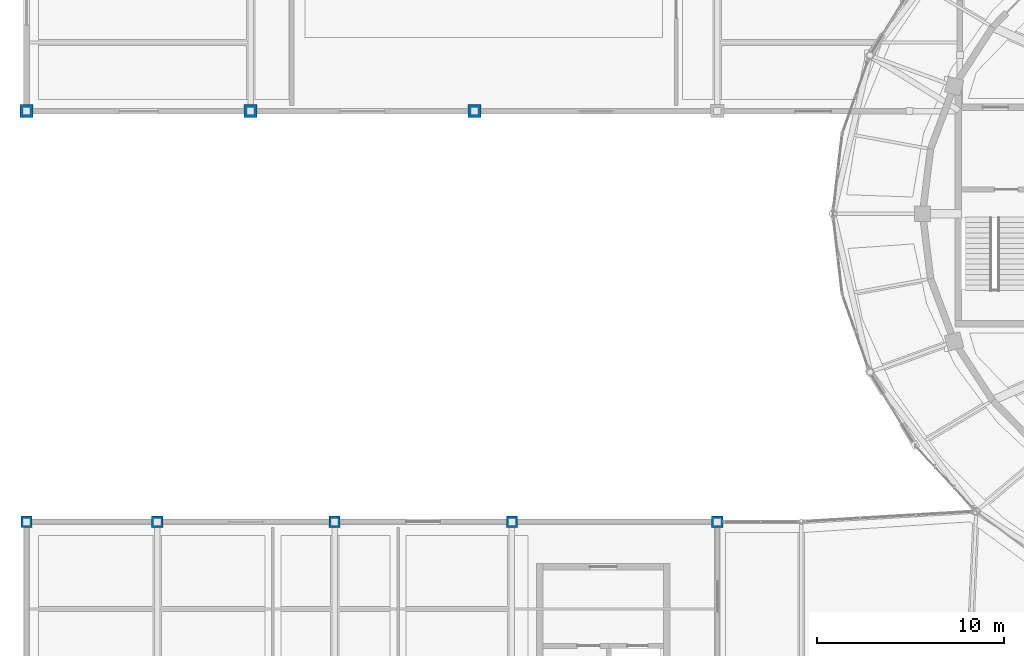
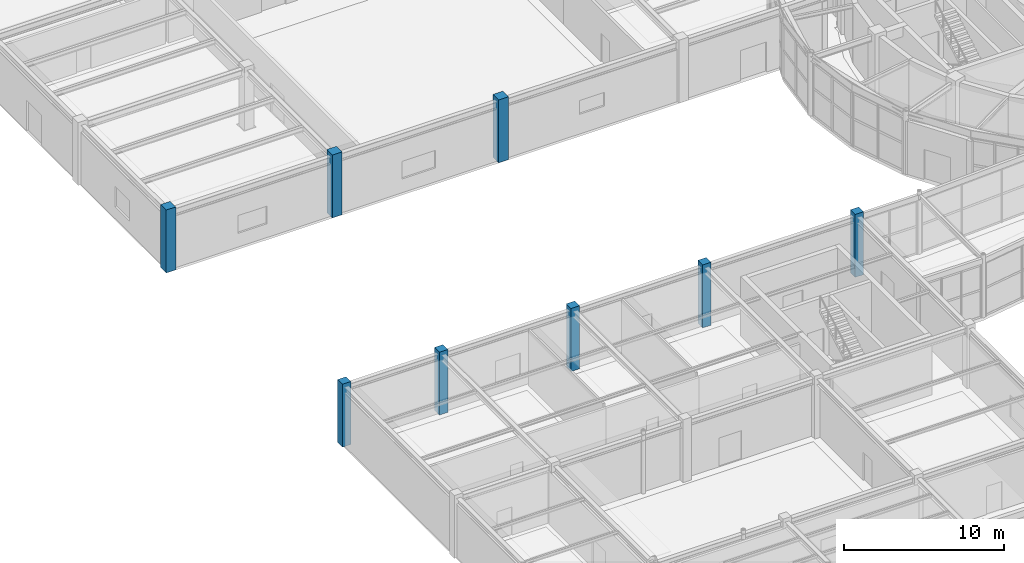
# One storey, part 4 of 108: 8 columns.
"""IFC4 building model written with IfcOpenShell, lengths in metres."""

from ifc_helpers import new_model, si_unit, direction, frame, origin, origin_2d, place, context, subcontext, project, spatial, rectangle, extrude, material, material_profile, profile_set, type_object, element, save


model = new_model("IFC4")

# Units and contexts
model_context = context("Model", 3, precision=1e-05, world=origin(), true_north=direction((0.0, 1.0)))
body_context = subcontext(model_context, "Body", "Model", "MODEL_VIEW")
ifc_project = project(units=[si_unit("LENGTHUNIT", "METRE"), si_unit("AREAUNIT", "SQUARE_METRE"), si_unit("VOLUMEUNIT", "CUBIC_METRE"), si_unit("PLANEANGLEUNIT", "RADIAN"), si_unit("MASSUNIT", "GRAM", prefix="KILO")], contexts=[model_context])

# Site, building, storey
site_placement = place(None, origin())
site = spatial("IfcSite", under=ifc_project, at=site_placement, CompositionType="ELEMENT")
building_placement = place(site_placement, origin())
building = spatial("IfcBuilding", under=site, at=building_placement, Name="Tarnveldt Headland Concert Hall", CompositionType="ELEMENT")
storey_placement = place(building_placement, origin())
storey = spatial("IfcBuildingStorey", under=building, at=storey_placement, Name="L00", CompositionType="ELEMENT", Elevation=0.0)

# Columns
ifc_material = material(Name="Concrete C40/50", Category="concrete")
ifc_material_profile_1 = material_profile(ifc_material, rectangle(XDim=0.60009765625, YDim=0.60009765625, at=origin_2d()), Name="RC 600x600", Category="concrete")
ifc_profile_set_1 = profile_set([ifc_material_profile_1], Name="Concrete C40/50")
column_type_1 = type_object("IfcColumnType", Name="CC-600", PredefinedType="COLUMN", material=ifc_profile_set_1)
for number, where, z_axis, x_axis, name in (
    (1, (44.5, 38.0, 0.0), (0.0, 0.0, 1.0), (1.0, 0.0, 0.0), "Column V4C08 L00"),
    (2, (33.5, 38.0, 0.0), (0.0, 0.0, 1.0), (1.0, 0.0, 0.0), "Column V4C09 L00"),
    (3, (24.0, 38.0, 0.0), (0.0, 0.0, 1.0), (1.0, 0.0, 0.0), "Column V4C10 L00"),
    (4, (14.5, 38.0, 0.0), (0.0, 0.0, 1.0), (1.0, 0.0, 0.0), "Column V4C11 L00"),
    (5, (7.5, 38.0, 0.0), (0.0, 0.0, 1.0), (1.0, 0.0, 0.0), "Column V4C12 L00"),
):
    element("IfcColumn", number, at=place(storey_placement, frame(where, z_axis=z_axis, x_axis=x_axis)), inside=storey, type_object=column_type_1, Name=name, PredefinedType="COLUMN", context=body_context, shape_type="SweptSolid", body=[
        extrude(rectangle(XDim=0.60009765625, YDim=0.60009765625, at=origin_2d()), origin(), (0.0, 0.0, 1.0), 4.800048828125),
    ])
ifc_material_profile_2 = material_profile(ifc_material, rectangle(XDim=0.699951171875, YDim=0.699951171875, at=origin_2d()), Name="RC 700x700", Category="concrete")
ifc_profile_set_2 = profile_set([ifc_material_profile_2], Name="Concrete C40/50")
column_type_2 = type_object("IfcColumnType", Name="CC-700", PredefinedType="COLUMN", material=ifc_profile_set_2)
for number, where, z_axis, x_axis, name in (
    (6, (7.5, 60.0, 0.0), (0.0, 0.0, 1.0), (1.0, 0.0, 0.0), "Column V5C01 L00"),
    (7, (19.5, 60.0, 0.0), (0.0, 0.0, 1.0), (1.0, 0.0, 0.0), "Column V5C05 L00"),
    (8, (31.5, 60.0, 0.0), (0.0, 0.0, 1.0), (1.0, 0.0, 0.0), "Column V5C11 L00"),
):
    element("IfcColumn", number, at=place(storey_placement, frame(where, z_axis=z_axis, x_axis=x_axis)), inside=storey, type_object=column_type_2, Name=name, PredefinedType="COLUMN", context=body_context, shape_type="SweptSolid", body=[
        extrude(rectangle(XDim=0.699951171875, YDim=0.699951171875, at=origin_2d()), origin(), (0.0, 0.0, 1.0), 4.800048828125),
    ])

save(model, "model.ifc")
